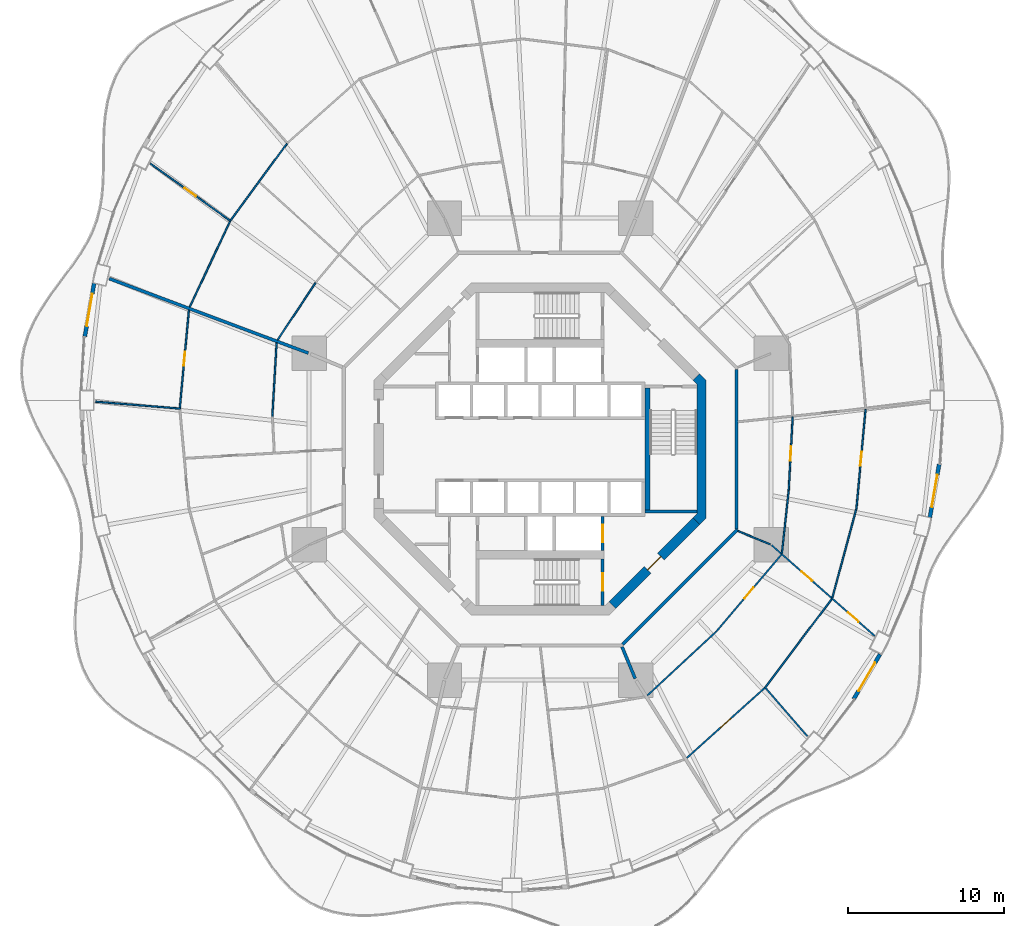
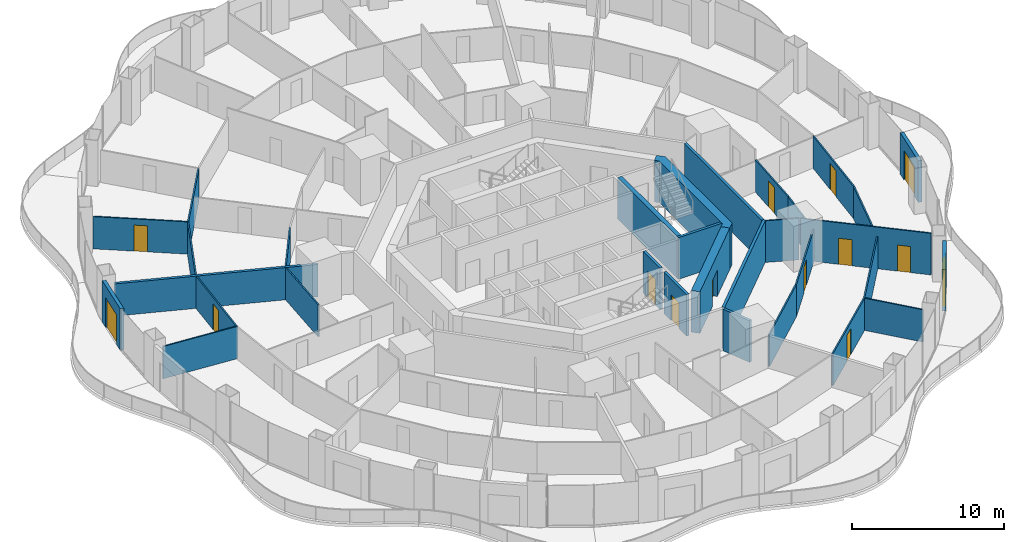
# One storey, part 17 of 23: 31 walls, 14 doors, 14 openings.
"""IFC4 building model written with IfcOpenShell, lengths in metres."""

import ifcopenshell
import ifcopenshell.guid

model = None  # the IFC model being written
_history = None  # IfcOwnerHistory: only IFC2X3 demands one
_inside = {}  # id of a spatial element -> (the spatial element, [elements in it])
_under = {}  # id of a project, library or spatial element -> (it, [spatial elements below it])
_declared = {}  # id of a project -> (the project, [libraries it declares])
_typed = {}  # id of a type object -> (the type object, [elements of that type])
_made_of = {}  # id of a material, layer set ... -> (it, [elements and type objects made of it])


def new_model(schema):
    """Start an empty IFC model of exactly this schema.

    Asked for "IFC4X3", IfcOpenShell would pick the latest addendum, in which some entities
    have other attributes; the version numbers below select the first issue.
    IFC2X3 requires an IfcOwnerHistory on every rooted entity: one is made here for all.
    """
    global model, _history
    if schema == "IFC4X3":
        model = ifcopenshell.file(schema_version=(4, 3, 0, 0))
    else:
        model = ifcopenshell.file(schema=schema)
    _inside.clear()
    _under.clear()
    _declared.clear()
    _typed.clear()
    _made_of.clear()
    _history = None
    if model.schema == "IFC2X3":
        org = make("IfcOrganization", Name="unknown")
        user = make(
            "IfcPersonAndOrganization",
            ThePerson=make("IfcPerson", FamilyName="unknown"),
            TheOrganization=org,
        )
        app = make(
            "IfcApplication",
            ApplicationDeveloper=org,
            Version="unknown",
            ApplicationFullName="unknown",
            ApplicationIdentifier="unknown",
        )
        _history = make(
            "IfcOwnerHistory",
            OwningUser=user,
            OwningApplication=app,
            ChangeAction="ADDED",
            CreationDate=0,
        )
    return model


def make(cls, **values):
    """One entity of the class cls with the attributes given. An attribute that is None is left unset."""
    return model.create_entity(
        cls, **{name: value for name, value in values.items() if value is not None}
    )


def rooted(cls, **values):
    """An entity with a GlobalId (a new one), such as an element, a storey or a relation."""
    return make(cls, GlobalId=ifcopenshell.guid.new(), OwnerHistory=_history, **values)


def si_unit(unit_type, name, prefix=None):
    """IfcSIUnit, for example si_unit("LENGTHUNIT", "METRE", prefix="MILLI")."""
    return make("IfcSIUnit", UnitType=unit_type, Prefix=prefix, Name=name)


def assignment(units):
    """IfcUnitAssignment: the units of a project."""
    return None if units is None else make("IfcUnitAssignment", Units=units)


def point(xyz):
    """IfcCartesianPoint."""
    return None if xyz is None else make("IfcCartesianPoint", Coordinates=xyz)


def direction(xyz):
    """IfcDirection."""
    return None if xyz is None else make("IfcDirection", DirectionRatios=xyz)


def frame(location, z_axis=None, x_axis=None):
    """IfcAxis2Placement3D, a coordinate frame: its origin and axes. An axis left out is left unset."""
    return make(
        "IfcAxis2Placement3D",
        Location=point(location),
        Axis=direction(z_axis),
        RefDirection=direction(x_axis),
    )


def frame_2d(location, x_axis=None):
    """IfcAxis2Placement2D, a coordinate frame in the plane: its origin and x axis."""
    return make(
        "IfcAxis2Placement2D", Location=point(location), RefDirection=direction(x_axis)
    )


def origin():
    """The frame at (0, 0, 0) with its axes left unset."""
    return frame((0.0, 0.0, 0.0))


def place(relative_to, where):
    """IfcLocalPlacement: puts the frame where relative to a parent placement (None: the world)."""
    return make(
        "IfcLocalPlacement", PlacementRelTo=relative_to, RelativePlacement=where
    )


def context(
    kind, dimensions, precision=None, world=None, true_north=None, identifier=None
):
    """IfcGeometricRepresentationContext, for example the 3D "Model" context."""
    return make(
        "IfcGeometricRepresentationContext",
        ContextIdentifier=identifier,
        ContextType=kind,
        CoordinateSpaceDimension=dimensions,
        Precision=precision,
        WorldCoordinateSystem=world,
        TrueNorth=true_north,
    )


def subcontext(parent, identifier, kind, view, scale=None):
    """IfcGeometricRepresentationSubContext, for example "Body" below "Model"."""
    return make(
        "IfcGeometricRepresentationSubContext",
        ContextIdentifier=identifier,
        ContextType=kind,
        ParentContext=parent,
        TargetScale=scale,
        TargetView=view,
    )


def project(units=None, contexts=None):
    """IfcProject with its units and contexts."""
    return rooted(
        "IfcProject",
        Name="project",
        RepresentationContexts=contexts,
        UnitsInContext=assignment(units),
    )


def spatial(cls, under=None, at=None, **own):
    """A site, building, storey or space (cls), placed at a placement, below another one or the project."""
    s = rooted(cls, ObjectPlacement=at, **own)
    if under is not None:
        _under.setdefault(under.id(), (under, []))[1].append(s)
    return s


def polyline(points):
    """IfcPolyline through the points."""
    return make("IfcPolyline", Points=[point(p) for p in points])


def profile(cls, at=None, kind="AREA", **sizes):
    """A parametric profile (cls). Its sizes go by their IFC names, for example OverallWidth=200.0."""
    return make(cls, ProfileType=kind, Position=at, **sizes)


def rectangle(**sizes):
    """IfcRectangleProfileDef."""
    return profile("IfcRectangleProfileDef", **sizes)


def outline(outer, holes=None, kind="AREA"):
    """IfcArbitraryClosedProfileDef: a profile drawn as a closed curve; with holes, ...WithVoids."""
    if holes is None:
        return make("IfcArbitraryClosedProfileDef", ProfileType=kind, OuterCurve=outer)
    return make(
        "IfcArbitraryProfileDefWithVoids",
        ProfileType=kind,
        OuterCurve=outer,
        InnerCurves=holes,
    )


def extrude(swept, where, along, depth):
    """IfcExtrudedAreaSolid: the profile swept, set in the frame where, extruded along a direction by depth."""
    return make(
        "IfcExtrudedAreaSolid",
        SweptArea=swept,
        Position=where,
        ExtrudedDirection=direction(along),
        Depth=depth,
    )


def shape(context_of_items, identifier, shape_type, items):
    """IfcShapeRepresentation: the items that make up one representation, for example the "Body"."""
    return make(
        "IfcShapeRepresentation",
        ContextOfItems=context_of_items,
        RepresentationIdentifier=identifier,
        RepresentationType=shape_type,
        Items=items,
    )


def material(Name=None, Category=None):
    """IfcMaterial."""
    return make("IfcMaterial", Name=Name, Category=Category)


def layer(
    of_material, thickness, ventilated=None, Name=None, Category=None, Priority=None
):
    """IfcMaterialLayer: one layer of a wall or slab, of a material (None: an air gap)."""
    return make(
        "IfcMaterialLayer",
        Material=of_material,
        LayerThickness=thickness,
        IsVentilated=ventilated,
        Name=Name,
        Category=Category,
        Priority=Priority,
    )


def layer_set(layers, Name=None):
    """IfcMaterialLayerSet."""
    return make("IfcMaterialLayerSet", MaterialLayers=layers, LayerSetName=Name)


def made_of(thing, what):
    """Note that an element or type object is made of a material, layer set ...; save() writes the relation."""
    if what is not None:
        _made_of.setdefault(what.id(), (what, []))[1].append(thing)
    return thing


def type_object(cls, material=None, **own):
    """A type object (cls), such as IfcWallType, which elements share."""
    return made_of(rooted(cls, **own), material)


def element(
    cls,
    number,
    at=None,
    inside=None,
    cuts=None,
    type_object=None,
    material=None,
    context=None,
    identifier="Body",
    shape_type=None,
    held_by="IfcProductDefinitionShape",
    body=None,
    shapes=None,
    **own,
):
    """One element of the class cls, such as IfcWall. Its Tag is "e" and its number.

    at: its placement. inside: the storey or other place that contains it. cuts: it is an
    opening in that element (IfcRelVoidsElement). A single representation is given by context,
    identifier, shape_type and body (its items); several are given by shapes. held_by: the class
    of the entity that holds the representations. save() writes the other relations.
    """
    e = rooted(cls, Tag="e%d" % number, ObjectPlacement=at, **own)
    if body is not None:
        shapes = [shape(context, identifier, shape_type, body)]
    if shapes is not None:
        e.Representation = make(held_by, Representations=shapes)
    if inside is not None:
        _inside.setdefault(inside.id(), (inside, []))[1].append(e)
    if cuts is not None:
        rooted(
            "IfcRelVoidsElement", RelatingBuildingElement=cuts, RelatedOpeningElement=e
        )
    if type_object is not None:
        _typed.setdefault(type_object.id(), (type_object, []))[1].append(e)
    return made_of(e, material)


def fill(opening, filler):
    """IfcRelFillsElement: the door or window that sits in an opening."""
    return rooted(
        "IfcRelFillsElement",
        RelatingOpeningElement=opening,
        RelatedBuildingElement=filler,
    )


def aggregate(whole, parts):
    """IfcRelAggregates: a whole, such as a stair, and the parts it consists of."""
    return rooted("IfcRelAggregates", RelatingObject=whole, RelatedObjects=parts)


def save(model, path):
    """Write the relations noted so far, then the file.

    IfcRelAggregates (storeys below a building ...), IfcRelContainedInSpatialStructure (elements
    in a storey), IfcRelDefinesByType, IfcRelAssociatesMaterial and IfcRelDeclares: one each for
    every whole, place, type object, material and project.
    """
    for whole, parts in _under.values():
        aggregate(whole, parts)
    for where, things in _inside.values():
        rooted(
            "IfcRelContainedInSpatialStructure",
            RelatedElements=things,
            RelatingStructure=where,
        )
    for kind, things in _typed.values():
        rooted("IfcRelDefinesByType", RelatedObjects=things, RelatingType=kind)
    for what, things in _made_of.values():
        rooted("IfcRelAssociatesMaterial", RelatedObjects=things, RelatingMaterial=what)
    for by, libraries in _declared.values():
        rooted("IfcRelDeclares", RelatingContext=by, RelatedDefinitions=libraries)
    model.write(path)


model = new_model("IFC4")

# Units and contexts
model_context = context("Model", 3, precision=1e-05, world=origin(), true_north=direction((0.0, 1.0)))
body_context = subcontext(model_context, "Body", "Model", "MODEL_VIEW")
ifc_project = project(units=[si_unit("LENGTHUNIT", "METRE"), si_unit("AREAUNIT", "SQUARE_METRE"), si_unit("VOLUMEUNIT", "CUBIC_METRE"), si_unit("PLANEANGLEUNIT", "RADIAN"), si_unit("MASSUNIT", "GRAM", prefix="KILO")], contexts=[model_context])

# Site, building, storey
site_placement = place(None, origin())
site = spatial("IfcSite", under=ifc_project, at=site_placement, CompositionType="ELEMENT")
building_placement = place(site_placement, origin())
building = spatial("IfcBuilding", under=site, at=building_placement, Name="Nagisa Residences", CompositionType="ELEMENT")
storey_placement = place(building_placement, frame((0.0, 0.0, 110.300048828125)))
storey = spatial("IfcBuildingStorey", under=building, at=storey_placement, Name="L27", CompositionType="ELEMENT", Elevation=110.300048828125)

# Walls
ifc_material_1 = material(Name="Gypsum board on steel studs", Category="steel")
ifc_layer_1 = layer(ifc_material_1, 0.199951171875)
ifc_layer_set_1 = layer_set([ifc_layer_1], Name="Apartment compartment wall EI60 200")
wall_type_1 = type_object("IfcWallType", Name="Apartment compartment wall EI60 200", PredefinedType="PARTITIONING", material=ifc_layer_set_1)
wall_1_placement = place(storey_placement, frame((-14.828857421875, 6.140380859375, 0.0), z_axis=(0.0, 0.0, 1.0), x_axis=(-0.936597324342, 0.35040755134, 0.0)))
element("IfcWall", 1, at=wall_1_placement, inside=storey, type_object=wall_type_1, Name="wall:L27:u03", PredefinedType="PARTITIONING", context=body_context, shape_type="SweptSolid", body=[
    extrude(rectangle(XDim=13.605712890625, YDim=0.199951171875, at=frame_2d((6.802734375, 0.0))), origin(), (0.0, 0.0, 1.0), 2.596923828125),
])
wall_2_placement = place(storey_placement, frame((5.24267578125, -12.6572265625, 0.0), z_axis=(0.0, 0.0, 1.0), x_axis=(0.382747093259, -0.923853160736, 0.0)))
element("IfcWall", 2, at=wall_2_placement, inside=storey, type_object=wall_type_1, Name="wall:L27:u06", PredefinedType="PARTITIONING", context=body_context, shape_type="SweptSolid", body=[
    extrude(rectangle(XDim=2.199951171875, YDim=0.199951171875, at=frame_2d((1.10009765625, 0.0))), origin(), (0.0, 0.0, 1.0), 3.349853515625),
])
ifc_material_2 = material(Name="Gypsum board on steel studs", Category="steel")
ifc_layer_2 = layer(ifc_material_2, 0.199951171875)
ifc_layer_set_2 = layer_set([ifc_layer_2], Name="Apartment entry wall EI60 200")
wall_type_2 = type_object("IfcWallType", Name="Apartment entry wall EI60 200", PredefinedType="PARTITIONING", material=ifc_layer_set_2)
wall_3_placement = place(storey_placement, frame((12.564697265625, -5.1044921875, 0.0), z_axis=(0.0, 0.0, 1.0), x_axis=(0.0, 1.0, 0.0)))
element("IfcWall", 3, at=wall_3_placement, inside=storey, type_object=wall_type_2, Name="wall:L27:u08", PredefinedType="PARTITIONING", context=body_context, shape_type="SweptSolid", body=[
    extrude(rectangle(XDim=10.208984375, YDim=0.199951171875, at=frame_2d((5.1044921875, 0.0))), origin(), (0.0, 0.0, 1.0), 3.349853515625),
])
wall_4_placement = place(storey_placement, frame((5.275146484375, -12.494140625, 0.0), z_axis=(0.0, 0.0, 1.0), x_axis=(0.707106781187, 0.707106781187, 0.0)))
element("IfcWall", 4, at=wall_4_placement, inside=storey, type_object=wall_type_2, Name="wall:L27:u15", PredefinedType="PARTITIONING", context=body_context, shape_type="SweptSolid", body=[
    extrude(rectangle(XDim=10.4091796875, YDim=0.199951171875, at=frame_2d((5.20458984375, 0.0))), origin(), (0.0, 0.0, 1.0), 3.349853515625),
])

# Wall, opening, door
ifc_material_3 = material(Name="Gypsum board on steel studs", Category="steel")
ifc_layer_3 = layer(ifc_material_3, 0.10009765625)
ifc_layer_set_3 = layer_set([ifc_layer_3], Name="Apartment partition 100")
wall_type_3 = type_object("IfcWallType", Name="Apartment partition 100", PredefinedType="PARTITIONING", material=ifc_layer_set_3)
wall_5_placement = place(storey_placement, frame((16.1611328125, 2.058349609375, 0.0), z_axis=(0.0, 0.0, 1.0), x_axis=(-0.053696394729, -0.998557307916, 0.0)))
wall_5 = element("IfcWall", 5, at=wall_5_placement, inside=storey, type_object=wall_type_3, Name="wall:L27:u18", PredefinedType="PARTITIONING", context=body_context, shape_type="SweptSolid", body=[
    extrude(rectangle(XDim=4.7421875, YDim=0.10009765625, at=frame_2d((2.37109375, 0.0))), origin(), (0.0, 0.0, 1.0), 2.596923828125),
])
opening_1_placement = place(wall_5_placement, frame((1.89599609375, 0.0, 0.0)))
opening_1 = element("IfcOpeningElement", 6, at=opening_1_placement, cuts=wall_5, Name="Opening L27-U20", PredefinedType="OPENING", context=body_context, shape_type="SweptSolid", body=[
    extrude(rectangle(XDim=0.89990234375, YDim=2.10009765625, at=frame_2d((0.449951171875, 1.050048828125))), frame((0.0, 0.06005859375, 0.0), z_axis=(0.0, -1.0, 0.0), x_axis=(1.0, 0.0, 0.0)), (0.0, 0.0, 1.0), 0.1201171875),
])
ifc_material_4 = material(Name="Timber door set", Category="wood")
door_type_1 = type_object("IfcDoorType", Name="Apartment door 900x2100", OperationType="NOTDEFINED", PredefinedType="DOOR", material=ifc_material_4)
door_1_placement = place(opening_1_placement, frame((0.89990234375, 0.0, 0.0), x_axis=(-1.0, 0.0, 0.0)))
door_1 = element("IfcDoor", 7, at=door_1_placement, inside=storey, type_object=door_type_1, Name="Door to laundry, Apartment 27B", OperationType="SINGLE_SWING_LEFT", OverallHeight=2.10009765625, OverallWidth=0.89990234375, PredefinedType="DOOR", context=body_context, shape_type="SweptSolid", body=[
    extrude(rectangle(XDim=0.89990234375, YDim=2.10009765625, at=frame_2d((0.449951171875, 1.050048828125))), frame((0.0, 0.02490234375, 0.0), z_axis=(0.0, -1.0, 0.0), x_axis=(1.0, 0.0, 0.0)), (0.0, 0.0, 1.0), 0.050048828125),
])
fill(opening_1, door_1)

wall_6_placement = place(storey_placement, frame((20.824951171875, 2.54248046875, 0.0), z_axis=(0.0, 0.0, 1.0), x_axis=(-0.09140211812, -0.995814065377, 0.0)))
wall_6 = element("IfcWall", 8, at=wall_6_placement, inside=storey, type_object=wall_type_3, Name="wall:L27:u20", PredefinedType="PARTITIONING", context=body_context, shape_type="SweptSolid", body=[
    extrude(rectangle(XDim=6.402587890625, YDim=0.10009765625, at=frame_2d((3.201171875, 0.0))), origin(), (0.0, 0.0, 1.0), 2.596923828125),
])
opening_2_placement = place(wall_6_placement, frame((2.726318359375, 0.0, 0.0)))
opening_2 = element("IfcOpeningElement", 9, at=opening_2_placement, cuts=wall_6, Name="Opening L27-U19", PredefinedType="OPENING", context=body_context, shape_type="SweptSolid", body=[
    extrude(rectangle(XDim=0.89990234375, YDim=2.10009765625, at=frame_2d((0.449951171875, 1.050048828125))), frame((0.0, 0.06005859375, 0.0), z_axis=(0.0, -1.0, 0.0), x_axis=(1.0, 0.0, 0.0)), (0.0, 0.0, 1.0), 0.1201171875),
])
door_2_placement = place(opening_2_placement, origin())
door_2 = element("IfcDoor", 10, at=door_2_placement, inside=storey, type_object=door_type_1, Name="Door to living room, Apartment 27B", OperationType="SINGLE_SWING_LEFT", OverallHeight=2.10009765625, OverallWidth=0.89990234375, PredefinedType="DOOR", context=body_context, shape_type="SweptSolid", body=[
    extrude(rectangle(XDim=0.89990234375, YDim=2.10009765625, at=frame_2d((0.449951171875, 1.050048828125))), frame((0.0, 0.02490234375, 0.0), z_axis=(0.0, -1.0, 0.0), x_axis=(1.0, 0.0, 0.0)), (0.0, 0.0, 1.0), 0.050048828125),
])
fill(opening_2, door_2)

# Walls
wall_7_placement = place(storey_placement, frame((-16.197265625, 19.55126953125, 0.0), z_axis=(0.0, 0.0, 1.0), x_axis=(-0.592391983588, -0.80564988536, 0.0)))
element("IfcWall", 11, at=wall_7_placement, inside=storey, type_object=wall_type_3, Name="wall:L27:u49", PredefinedType="PARTITIONING", context=body_context, shape_type="SweptSolid", body=[
    extrude(rectangle(XDim=6.080078125, YDim=0.10009765625, at=frame_2d((3.0400390625, 0.0))), origin(), (0.0, 0.0, 1.0), 2.596923828125),
])
wall_8_placement = place(storey_placement, frame((-14.370849609375, 10.64501953125, 0.0), z_axis=(0.0, 0.0, 1.0), x_axis=(-0.553341009285, -0.832954817168, 0.0)))
element("IfcWall", 12, at=wall_8_placement, inside=storey, type_object=wall_type_3, Name="wall:L27:u51", PredefinedType="PARTITIONING", context=body_context, shape_type="SweptSolid", body=[
    extrude(rectangle(XDim=4.396240234375, YDim=0.10009765625, at=frame_2d((2.1982421875, 0.0))), origin(), (0.0, 0.0, 1.0), 2.596923828125),
])

# Wall, opening, door
wall_9_placement = place(storey_placement, frame((-19.7880859375, 14.58349609375, 0.0), z_axis=(0.0, 0.0, 1.0), x_axis=(-0.813175286569, 0.58201885993, 0.0)))
wall_9 = element("IfcWall", 13, at=wall_9_placement, inside=storey, type_object=wall_type_3, Name="wall:L27:u52", PredefinedType="PARTITIONING", context=body_context, shape_type="SweptSolid", body=[
    extrude(rectangle(XDim=6.32861328125, YDim=0.10009765625, at=frame_2d((3.164306640625, 0.0))), origin(), (0.0, 0.0, 1.0), 2.596923828125),
])
opening_3_placement = place(wall_9_placement, frame((2.7392578125, 0.0, 0.0)))
opening_3 = element("IfcOpeningElement", 14, at=opening_3_placement, cuts=wall_9, Name="Opening L27-U40", PredefinedType="OPENING", context=body_context, shape_type="SweptSolid", body=[
    extrude(rectangle(XDim=0.89990234375, YDim=2.10009765625, at=frame_2d((0.449951171875, 1.050048828125))), frame((0.0, 0.06005859375, 0.0), z_axis=(0.0, -1.0, 0.0), x_axis=(1.0, 0.0, 0.0)), (0.0, 0.0, 1.0), 0.1201171875),
])
door_3_placement = place(opening_3_placement, origin())
door_3 = element("IfcDoor", 15, at=door_3_placement, inside=storey, type_object=door_type_1, Name="Door to master bedroom, Apartment 27C", OperationType="SINGLE_SWING_RIGHT", OverallHeight=2.10009765625, OverallWidth=0.89990234375, PredefinedType="DOOR", context=body_context, shape_type="SweptSolid", body=[
    extrude(rectangle(XDim=0.89990234375, YDim=2.10009765625, at=frame_2d((0.449951171875, 1.050048828125))), frame((0.0, 0.02490234375, 0.0), z_axis=(0.0, -1.0, 0.0), x_axis=(1.0, 0.0, 0.0)), (0.0, 0.0, 1.0), 0.050048828125),
])
fill(opening_3, door_3)

# Walls
wall_10_placement = place(storey_placement, frame((-19.85009765625, 14.5673828125, 0.0), z_axis=(0.0, 0.0, 1.0), x_axis=(-0.424942210745, -0.905220480064, 0.0)))
element("IfcWall", 16, at=wall_10_placement, inside=storey, type_object=wall_type_3, Name="wall:L27:u53", PredefinedType="PARTITIONING", context=body_context, shape_type="SweptSolid", body=[
    extrude(rectangle(XDim=6.05322265625, YDim=0.10009765625, at=frame_2d((3.026611328125, 0.0))), origin(), (0.0, 0.0, 1.0), 2.596923828125),
])
wall_11_placement = place(storey_placement, frame((-16.864501953125, 6.800048828125, 0.0), z_axis=(0.0, 0.0, 1.0), x_axis=(-0.05777584434, -0.998329580755, 0.0)))
element("IfcWall", 17, at=wall_11_placement, inside=storey, type_object=wall_type_3, Name="wall:L27:u54", PredefinedType="PARTITIONING", context=body_context, shape_type="SweptSolid", body=[
    extrude(rectangle(XDim=4.74951171875, YDim=0.10009765625, at=frame_2d((2.374755859375, 0.0))), origin(), (0.0, 0.0, 1.0), 2.596923828125),
])

# Wall, opening, door
wall_12_placement = place(storey_placement, frame((-22.47412109375, 8.897705078125, 0.0), z_axis=(0.0, 0.0, 1.0), x_axis=(-0.092756864489, -0.995688788774, 0.0)))
wall_12 = element("IfcWall", 18, at=wall_12_placement, inside=storey, type_object=wall_type_3, Name="wall:L27:u55", PredefinedType="PARTITIONING", context=body_context, shape_type="SweptSolid", body=[
    extrude(rectangle(XDim=6.28271484375, YDim=0.10009765625, at=frame_2d((3.141357421875, 0.0))), origin(), (0.0, 0.0, 1.0), 2.596923828125),
])
opening_4_placement = place(wall_12_placement, frame((2.69140625, 0.0, 0.0)))
opening_4 = element("IfcOpeningElement", 19, at=opening_4_placement, cuts=wall_12, Name="Opening L27-U46", PredefinedType="OPENING", context=body_context, shape_type="SweptSolid", body=[
    extrude(rectangle(XDim=0.89990234375, YDim=2.10009765625, at=frame_2d((0.449951171875, 1.050048828125))), frame((0.0, 0.06005859375, 0.0), z_axis=(0.0, -1.0, 0.0), x_axis=(1.0, 0.0, 0.0)), (0.0, 0.0, 1.0), 0.1201171875),
])
door_4_placement = place(opening_4_placement, frame((0.89990234375, 0.0, 0.0), x_axis=(-1.0, 0.0, 0.0)))
door_4 = element("IfcDoor", 20, at=door_4_placement, inside=storey, type_object=door_type_1, Name="Door to master bedroom, Apartment 27D", OperationType="SINGLE_SWING_LEFT", OverallHeight=2.10009765625, OverallWidth=0.89990234375, PredefinedType="DOOR", context=body_context, shape_type="SweptSolid", body=[
    extrude(rectangle(XDim=0.89990234375, YDim=2.10009765625, at=frame_2d((0.449951171875, 1.050048828125))), frame((0.0, 0.02490234375, 0.0), z_axis=(0.0, -1.0, 0.0), x_axis=(1.0, 0.0, 0.0)), (0.0, 0.0, 1.0), 0.050048828125),
])
fill(opening_4, door_4)

# Walls
wall_13_placement = place(storey_placement, frame((-23.01171875, 2.588134765625, 0.0), z_axis=(0.0, 0.0, 1.0), x_axis=(-0.996680765347, 0.081409164031, 0.0)))
element("IfcWall", 21, at=wall_13_placement, inside=storey, type_object=wall_type_3, Name="wall:L27:u57", PredefinedType="PARTITIONING", context=body_context, shape_type="SweptSolid", body=[
    extrude(rectangle(XDim=5.4580078125, YDim=0.10009765625, at=frame_2d((2.72900390625, 0.0))), origin(), (0.0, 0.0, 1.0), 2.596923828125),
])
wall_14_placement = place(storey_placement, frame((6.861083984375, -15.768310546875, 0.0), z_axis=(0.0, 0.0, 1.0), x_axis=(0.733011256509, 0.680216508056, 0.0)))
element("IfcWall", 22, at=wall_14_placement, inside=storey, type_object=wall_type_3, Name="wall:L27:u83", PredefinedType="PARTITIONING", context=body_context, shape_type="SweptSolid", body=[
    extrude(rectangle(XDim=5.988525390625, YDim=0.10009765625, at=frame_2d((2.994140625, 0.0))), origin(), (0.0, 0.0, 1.0), 2.596923828125),
])

# Wall, opening, door
wall_15_placement = place(storey_placement, frame((9.384033203125, -19.767578125, 0.0), z_axis=(0.0, 0.0, 1.0), x_axis=(0.74387407395, 0.668319805262, 0.0)))
wall_15 = element("IfcWall", 23, at=wall_15_placement, inside=storey, type_object=wall_type_3, Name="wall:L27:u84", PredefinedType="PARTITIONING", context=body_context, shape_type="SweptSolid", body=[
    extrude(rectangle(XDim=6.6953125, YDim=0.10009765625, at=frame_2d((3.34765625, 0.0))), origin(), (0.0, 0.0, 1.0), 2.596923828125),
])
opening_5_placement = place(wall_15_placement, frame((2.897705078125, 0.0, 0.0)))
opening_5 = element("IfcOpeningElement", 24, at=opening_5_placement, cuts=wall_15, Name="Opening L27-U22", PredefinedType="OPENING", context=body_context, shape_type="SweptSolid", body=[
    extrude(rectangle(XDim=0.89990234375, YDim=2.10009765625, at=frame_2d((0.449951171875, 1.050048828125))), frame((0.0, 0.06005859375, 0.0), z_axis=(0.0, -1.0, 0.0), x_axis=(1.0, 0.0, 0.0)), (0.0, 0.0, 1.0), 0.1201171875),
])
door_5_placement = place(opening_5_placement, frame((0.89990234375, 0.0, 0.0), x_axis=(-1.0, 0.0, 0.0)))
door_5 = element("IfcDoor", 25, at=door_5_placement, inside=storey, type_object=door_type_1, Name="Door to kitchen, Apartment 27B", OperationType="SINGLE_SWING_LEFT", OverallHeight=2.10009765625, OverallWidth=0.89990234375, PredefinedType="DOOR", context=body_context, shape_type="SweptSolid", body=[
    extrude(rectangle(XDim=0.89990234375, YDim=2.10009765625, at=frame_2d((0.449951171875, 1.050048828125))), frame((0.0, 0.02490234375, 0.0), z_axis=(0.0, -1.0, 0.0), x_axis=(1.0, 0.0, 0.0)), (0.0, 0.0, 1.0), 0.050048828125),
])
fill(opening_5, door_5)

wall_16_placement = place(storey_placement, frame((11.2548828125, -11.698974609375, 0.0), z_axis=(0.0, 0.0, 1.0), x_axis=(0.64610637779, 0.763247370503, 0.0)))
wall_16 = element("IfcWall", 26, at=wall_16_placement, inside=storey, type_object=wall_type_3, Name="wall:L27:u85", PredefinedType="PARTITIONING", context=body_context, shape_type="SweptSolid", body=[
    extrude(rectangle(XDim=6.467041015625, YDim=0.10009765625, at=frame_2d((3.2333984375, 0.0))), origin(), (0.0, 0.0, 1.0), 2.596923828125),
])
opening_6_placement = place(wall_16_placement, frame((2.80859375, 0.0, 0.0)))
opening_6 = element("IfcOpeningElement", 27, at=opening_6_placement, cuts=wall_16, Name="Opening L27-U24", PredefinedType="OPENING", context=body_context, shape_type="SweptSolid", body=[
    extrude(rectangle(XDim=0.89990234375, YDim=2.10009765625, at=frame_2d((0.449951171875, 1.050048828125))), frame((0.0, 0.06005859375, 0.0), z_axis=(0.0, -1.0, 0.0), x_axis=(1.0, 0.0, 0.0)), (0.0, 0.0, 1.0), 0.1201171875),
])
door_6_placement = place(opening_6_placement, origin())
door_6 = element("IfcDoor", 28, at=door_6_placement, inside=storey, type_object=door_type_1, Name="Door to store, Apartment 27B", OperationType="SINGLE_SWING_RIGHT", OverallHeight=2.10009765625, OverallWidth=0.89990234375, PredefinedType="DOOR", context=body_context, shape_type="SweptSolid", body=[
    extrude(rectangle(XDim=0.89990234375, YDim=2.10009765625, at=frame_2d((0.449951171875, 1.050048828125))), frame((0.0, 0.02490234375, 0.0), z_axis=(0.0, -1.0, 0.0), x_axis=(1.0, 0.0, 0.0)), (0.0, 0.0, 1.0), 0.050048828125),
])
fill(opening_6, door_6)

# Walls
wall_17_placement = place(storey_placement, frame((14.4345703125, -15.29736328125, 0.0), z_axis=(0.0, 0.0, 1.0), x_axis=(0.654405107766, -0.756144136345, 0.0)))
element("IfcWall", 29, at=wall_17_placement, inside=storey, type_object=wall_type_3, Name="wall:L27:u86", PredefinedType="PARTITIONING", context=body_context, shape_type="SweptSolid", body=[
    extrude(rectangle(XDim=4.06982421875, YDim=0.10009765625, at=frame_2d((2.034912109375, 0.0))), origin(), (0.0, 0.0, 1.0), 2.596923828125),
])
wall_18_placement = place(storey_placement, frame((14.371826171875, -15.299560546875, 0.0), z_axis=(0.0, 0.0, 1.0), x_axis=(0.600996629562, 0.79925155693, 0.0)))
element("IfcWall", 30, at=wall_18_placement, inside=storey, type_object=wall_type_3, Name="wall:L27:u87", PredefinedType="PARTITIONING", context=body_context, shape_type="SweptSolid", body=[
    extrude(rectangle(XDim=7.130126953125, YDim=0.10009765625, at=frame_2d((3.56494140625, 0.0))), origin(), (0.0, 0.0, 1.0), 2.596923828125),
])
wall_19_placement = place(storey_placement, frame((12.6572265625, -5.24267578125, 0.0), z_axis=(0.0, 0.0, 1.0), x_axis=(0.923848837015, -0.382757529444, 0.0)))
element("IfcWall", 31, at=wall_19_placement, inside=storey, type_object=wall_type_3, Name="wall:L27:u88", PredefinedType="PARTITIONING", context=body_context, shape_type="SweptSolid", body=[
    extrude(rectangle(XDim=2.249755859375, YDim=0.10009765625, at=frame_2d((1.125, 0.0))), origin(), (0.0, 0.0, 1.0), 3.349853515625),
])

# Wall, openings, doors
wall_20_placement = place(storey_placement, frame((14.819580078125, -6.156005859375, 0.0), z_axis=(0.0, 0.0, 1.0), x_axis=(0.750582231659, -0.660777052808, 0.0)))
wall_20 = element("IfcWall", 32, at=wall_20_placement, inside=storey, type_object=wall_type_3, Name="wall:L27:u89", PredefinedType="PARTITIONING", context=body_context, shape_type="SweptSolid", body=[
    extrude(rectangle(XDim=8.781005859375, YDim=0.10009765625, at=frame_2d((4.390625, 0.0))), origin(), (0.0, 0.0, 1.0), 3.349853515625),
])
opening_7_placement = place(wall_20_placement, frame((2.556884765625, 0.0, 0.0)))
opening_7 = element("IfcOpeningElement", 33, at=opening_7_placement, cuts=wall_20, Name="Opening L27-U21", PredefinedType="OPENING", context=body_context, shape_type="SweptSolid", body=[
    extrude(rectangle(XDim=0.89990234375, YDim=2.10009765625, at=frame_2d((0.449951171875, 1.050048828125))), frame((0.0, 0.06005859375, 0.0), z_axis=(0.0, -1.0, 0.0), x_axis=(1.0, 0.0, 0.0)), (0.0, 0.0, 1.0), 0.1201171875),
])
opening_8_placement = place(wall_20_placement, frame((6.516845703125, 0.0, 0.0)))
opening_8 = element("IfcOpeningElement", 34, at=opening_8_placement, cuts=wall_20, Name="Opening L27-U23", PredefinedType="OPENING", context=body_context, shape_type="SweptSolid", body=[
    extrude(rectangle(XDim=0.89990234375, YDim=2.10009765625, at=frame_2d((0.449951171875, 1.050048828125))), frame((0.0, 0.06005859375, 0.0), z_axis=(0.0, -1.0, 0.0), x_axis=(1.0, 0.0, 0.0)), (0.0, 0.0, 1.0), 0.1201171875),
])
door_7_placement = place(opening_7_placement, frame((0.89990234375, 0.0, 0.0), x_axis=(-1.0, 0.0, 0.0)))
door_7 = element("IfcDoor", 35, at=door_7_placement, inside=storey, type_object=door_type_1, Name="Door to dining room, Apartment 27B", OperationType="SINGLE_SWING_RIGHT", OverallHeight=2.10009765625, OverallWidth=0.89990234375, PredefinedType="DOOR", context=body_context, shape_type="SweptSolid", body=[
    extrude(rectangle(XDim=0.89990234375, YDim=2.10009765625, at=frame_2d((0.449951171875, 1.050048828125))), frame((0.0, 0.02490234375, 0.0), z_axis=(0.0, -1.0, 0.0), x_axis=(1.0, 0.0, 0.0)), (0.0, 0.0, 1.0), 0.050048828125),
])
fill(opening_7, door_7)
door_8_placement = place(opening_8_placement, frame((0.89990234375, 0.0, 0.0), x_axis=(-1.0, 0.0, 0.0)))
door_8 = element("IfcDoor", 36, at=door_8_placement, inside=storey, type_object=door_type_1, Name="Door to master bedroom, Apartment 27B", OperationType="SINGLE_SWING_RIGHT", OverallHeight=2.10009765625, OverallWidth=0.89990234375, PredefinedType="DOOR", context=body_context, shape_type="SweptSolid", body=[
    extrude(rectangle(XDim=0.89990234375, YDim=2.10009765625, at=frame_2d((0.449951171875, 1.050048828125))), frame((0.0, 0.02490234375, 0.0), z_axis=(0.0, -1.0, 0.0), x_axis=(1.0, 0.0, 0.0)), (0.0, 0.0, 1.0), 0.050048828125),
])
fill(opening_8, door_8)

# Walls
wall_21_placement = place(storey_placement, frame((15.47119140625, -6.675048828125, 0.0), z_axis=(0.0, 0.0, 1.0), x_axis=(0.107572661837, 0.994197225114, 0.0)))
element("IfcWall", 37, at=wall_21_placement, inside=storey, type_object=wall_type_3, Name="wall:L27:u90", PredefinedType="PARTITIONING", context=body_context, shape_type="SweptSolid", body=[
    extrude(rectangle(XDim=4.021728515625, YDim=0.10009765625, at=frame_2d((2.0107421875, 0.0))), origin(), (0.0, 0.0, 1.0), 2.596923828125),
])
wall_22_placement = place(storey_placement, frame((18.7001953125, -9.512451171875, 0.0), z_axis=(0.0, 0.0, 1.0), x_axis=(0.260265138035, 0.965537186194, 0.0)))
element("IfcWall", 38, at=wall_22_placement, inside=storey, type_object=wall_type_3, Name="wall:L27:u91", PredefinedType="PARTITIONING", context=body_context, shape_type="SweptSolid", body=[
    extrude(rectangle(XDim=5.883544921875, YDim=0.10009765625, at=frame_2d((2.94189453125, 0.0))), origin(), (0.0, 0.0, 1.0), 2.596923828125),
])

# Wall, opening, door
ifc_material_5 = material(Name="Precast concrete C40/50", Category="concrete")
ifc_layer_4 = layer(ifc_material_5, 0.25)
ifc_layer_set_4 = layer_set([ifc_layer_4], Name="BALCONY DOOR WALL 250")
wall_type_4 = type_object("IfcWallType", Name="BALCONY DOOR WALL 250", PredefinedType="SOLIDWALL", material=ifc_layer_set_4)
wall_23_placement = place(storey_placement, frame((-29.135009765625, 7.209716796875, 0.0), z_axis=(0.0, 0.0, 1.0), x_axis=(0.17223289558, 0.985056257114, 0.0)))
wall_23 = element("IfcWall", 39, at=wall_23_placement, inside=storey, type_object=wall_type_4, Name="wall:L27:bay22", PredefinedType="SOLIDWALL", context=body_context, shape_type="SweptSolid", body=[
    extrude(rectangle(XDim=3.454345703125, YDim=0.25, at=frame_2d((1.72705078125, 0.0))), origin(), (0.0, 0.0, 1.0), 3.349853515625),
])
opening_9_placement = place(wall_23_placement, frame((0.67724609375, 0.0, 0.0)))
opening_9 = element("IfcOpeningElement", 40, at=opening_9_placement, cuts=wall_23, Name="Opening BD-L27-08", PredefinedType="OPENING", context=body_context, shape_type="SweptSolid", body=[
    extrude(rectangle(XDim=2.10009765625, YDim=2.39990234375, at=frame_2d((1.050048828125, 1.199951171875))), frame((0.0, 0.135009765625, 0.0), z_axis=(0.0, -1.0, 0.0), x_axis=(1.0, 0.0, 0.0)), (0.0, 0.0, 1.0), 0.27001953125),
])
ifc_material_6 = material(Name="Aluminium and clear glass", Category="aluminium")
door_type_2 = type_object("IfcDoorType", Name="BALCONY SLIDING DOOR 2100x2400", OperationType="SLIDING_TO_LEFT", PredefinedType="DOOR", material=ifc_material_6)
door_9_placement = place(opening_9_placement, origin())
door_9 = element("IfcDoor", 41, at=door_9_placement, inside=storey, type_object=door_type_2, Name="door:L27:bay22", OperationType="SLIDING_TO_LEFT", OverallHeight=2.39990234375, OverallWidth=2.10009765625, PredefinedType="DOOR", context=body_context, shape_type="SweptSolid", body=[
    extrude(rectangle(XDim=2.10009765625, YDim=2.39990234375, at=frame_2d((1.050048828125, 1.199951171875))), frame((0.0, 0.02490234375, 0.0), z_axis=(0.0, -1.0, 0.0), x_axis=(1.0, 0.0, 0.0)), (0.0, 0.0, 1.0), 0.050048828125),
])
fill(opening_9, door_9)

wall_24_placement = place(storey_placement, frame((21.74755859375, -13.136962890625, 0.0), z_axis=(0.0, 0.0, 1.0), x_axis=(-0.506297921217, -0.862358634775, 0.0)))
wall_24 = element("IfcWall", 42, at=wall_24_placement, inside=storey, type_object=wall_type_4, Name="wall:L27:bay43", PredefinedType="SOLIDWALL", context=body_context, shape_type="SweptSolid", body=[
    extrude(rectangle(XDim=3.32470703125, YDim=0.25, at=frame_2d((1.662353515625, 0.0))), origin(), (0.0, 0.0, 1.0), 3.349853515625),
])
opening_10_placement = place(wall_24_placement, frame((0.6123046875, 0.0, 0.0)))
opening_10 = element("IfcOpeningElement", 43, at=opening_10_placement, cuts=wall_24, Name="Opening BD-L27-15", PredefinedType="OPENING", context=body_context, shape_type="SweptSolid", body=[
    extrude(rectangle(XDim=2.10009765625, YDim=2.39990234375, at=frame_2d((1.050048828125, 1.199951171875))), frame((0.0, 0.135009765625, 0.0), z_axis=(0.0, -1.0, 0.0), x_axis=(1.0, 0.0, 0.0)), (0.0, 0.0, 1.0), 0.27001953125),
])
door_10_placement = place(opening_10_placement, origin())
door_10 = element("IfcDoor", 44, at=door_10_placement, inside=storey, type_object=door_type_2, Name="door:L27:bay43", OperationType="SLIDING_TO_LEFT", OverallHeight=2.39990234375, OverallWidth=2.10009765625, PredefinedType="DOOR", context=body_context, shape_type="SweptSolid", body=[
    extrude(rectangle(XDim=2.10009765625, YDim=2.39990234375, at=frame_2d((1.050048828125, 1.199951171875))), frame((0.0, 0.02490234375, 0.0), z_axis=(0.0, -1.0, 0.0), x_axis=(1.0, 0.0, 0.0)), (0.0, 0.0, 1.0), 0.050048828125),
])
fill(opening_10, door_10)

wall_25_placement = place(storey_placement, frame((25.534912109375, -0.974365234375, 0.0), z_axis=(0.0, 0.0, 1.0), x_axis=(-0.172164316671, -0.985068245385, 0.0)))
wall_25 = element("IfcWall", 45, at=wall_25_placement, inside=storey, type_object=wall_type_4, Name="wall:L27:bay46", PredefinedType="SOLIDWALL", context=body_context, shape_type="SweptSolid", body=[
    extrude(rectangle(XDim=3.454345703125, YDim=0.25, at=frame_2d((1.72705078125, 0.0))), origin(), (0.0, 0.0, 1.0), 3.349853515625),
])
opening_11_placement = place(wall_25_placement, frame((0.67724609375, 0.0, 0.0)))
opening_11 = element("IfcOpeningElement", 46, at=opening_11_placement, cuts=wall_25, Name="Opening BD-L27-16", PredefinedType="OPENING", context=body_context, shape_type="SweptSolid", body=[
    extrude(rectangle(XDim=2.10009765625, YDim=2.39990234375, at=frame_2d((1.050048828125, 1.199951171875))), frame((0.0, 0.135009765625, 0.0), z_axis=(0.0, -1.0, 0.0), x_axis=(1.0, 0.0, 0.0)), (0.0, 0.0, 1.0), 0.27001953125),
])
door_11_placement = place(opening_11_placement, origin())
door_11 = element("IfcDoor", 47, at=door_11_placement, inside=storey, type_object=door_type_2, Name="door:L27:bay46", OperationType="SLIDING_TO_LEFT", OverallHeight=2.39990234375, OverallWidth=2.10009765625, PredefinedType="DOOR", context=body_context, shape_type="SweptSolid", body=[
    extrude(rectangle(XDim=2.10009765625, YDim=2.39990234375, at=frame_2d((1.050048828125, 1.199951171875))), frame((0.0, 0.02490234375, 0.0), z_axis=(0.0, -1.0, 0.0), x_axis=(1.0, 0.0, 0.0)), (0.0, 0.0, 1.0), 0.050048828125),
])
fill(opening_11, door_11)

ifc_material_7 = material(Name="Concrete C60", Category="concrete")
ifc_layer_5 = layer(ifc_material_7, 0.60009765625)
ifc_layer_set_5 = layer_set([ifc_layer_5], Name="Core shear wall 600")
wall_type_5 = type_object("IfcWallType", Name="Core shear wall 600", PredefinedType="SHEAR", material=ifc_layer_set_5)
wall_26_placement = place(storey_placement, frame((4.613037109375, -9.98828125, 0.0), z_axis=(0.0, 0.0, 1.0), x_axis=(0.707106781187, 0.707106781187, 0.0)))
wall_26 = element("IfcWall", 48, at=wall_26_placement, inside=storey, type_object=wall_type_5, Name="wall:L27:core:flat7", PredefinedType="SHEAR", context=body_context, shape_type="SweptSolid", body=[
    extrude(rectangle(XDim=7.601806640625, YDim=0.60009765625, at=frame_2d((3.80078125, 0.0))), origin(), (0.0, 0.0, 1.0), 3.349853515625),
])
opening_12_placement = place(wall_26_placement, frame((3.200927734375, 0.0, 0.0)))
opening_12 = element("IfcOpeningElement", 49, at=opening_12_placement, cuts=wall_26, Name="Opening L27-C18", PredefinedType="OPENING", context=body_context, shape_type="SweptSolid", body=[
    extrude(rectangle(XDim=1.199951171875, YDim=2.10009765625, at=frame_2d((0.60009765625, 1.050048828125))), frame((0.0, 0.31005859375, 0.0), z_axis=(0.0, -1.0, 0.0), x_axis=(1.0, 0.0, 0.0)), (0.0, 0.0, 1.0), 0.6201171875),
])
ifc_material_8 = material(Name="Steel fire door", Category="steel")
door_type_3 = type_object("IfcDoorType", Name="Fire door EI60 1200x2100 single swing", OperationType="NOTDEFINED", PredefinedType="DOOR", material=ifc_material_8)
door_12_placement = place(opening_12_placement, origin())
door_12 = element("IfcDoor", 50, at=door_12_placement, inside=storey, type_object=door_type_3, Name="Firefighting lobby 2 door L27", OperationType="SINGLE_SWING_RIGHT", OverallHeight=2.10009765625, OverallWidth=1.199951171875, PredefinedType="DOOR", context=body_context, shape_type="SweptSolid", body=[
    extrude(rectangle(XDim=1.199951171875, YDim=2.10009765625, at=frame_2d((0.60009765625, 1.050048828125))), frame((0.0, 0.02490234375, 0.0), z_axis=(0.0, -1.0, 0.0), x_axis=(1.0, 0.0, 0.0)), (0.0, 0.0, 1.0), 0.050048828125),
])
fill(opening_12, door_12)

# Wall
wall_27_placement = place(storey_placement, origin())
element("IfcWall", 51, at=wall_27_placement, inside=storey, type_object=wall_type_5, Name="wall:L27:core:flat0", PredefinedType="SHEAR", context=body_context, shape_type="SweptSolid", body=[
    extrude(outline(polyline([(9.776123046875, -4.40087890625), (10.024658203125, -4.15234375), (10.024658203125, -3.801025390625), (10.024658203125, 4.15234375), (9.776123046875, 4.40087890625), (10.200439453125, 4.8251953125), (10.62451171875, 4.40087890625), (10.62451171875, -4.40087890625), (10.200439453125, -4.8251953125), (9.776123046875, -4.40087890625)])), origin(), (0.0, 0.0, 1.0), 3.349853515625),
])

# Wall, opening, door
ifc_material_9 = material(Name="Concrete C60", Category="concrete")
ifc_layer_6 = layer(ifc_material_9, 0.199951171875)
ifc_layer_set_6 = layer_set([ifc_layer_6], Name="Lift shaft wall 200")
wall_type_6 = type_object("IfcWallType", Name="Lift shaft wall 200", PredefinedType="SOLIDWALL", material=ifc_layer_set_6)
wall_28_placement = place(storey_placement, frame((4.0, -6.5, 0.0), z_axis=(0.0, 0.0, 1.0), x_axis=(0.0, 1.0, 0.0)))
wall_28 = element("IfcWall", 52, at=wall_28_placement, inside=storey, type_object=wall_type_6, Name="wall:L27:Sb3", PredefinedType="SOLIDWALL", context=body_context, shape_type="SweptSolid", body=[
    extrude(rectangle(XDim=2.199951171875, YDim=0.199951171875, at=frame_2d((1.10009765625, 0.0))), origin(), (0.0, 0.0, 1.0), 3.349853515625),
])
opening_13_placement = place(wall_28_placement, frame((0.550048828125, 0.0, 0.0)))
opening_13 = element("IfcOpeningElement", 53, at=opening_13_placement, cuts=wall_28, Name="Opening L27-C07", PredefinedType="OPENING", context=body_context, shape_type="SweptSolid", body=[
    extrude(rectangle(XDim=1.10009765625, YDim=2.10009765625, at=frame_2d((0.550048828125, 1.050048828125))), frame((0.0, 0.10986328125, 0.0), z_axis=(0.0, -1.0, 0.0), x_axis=(1.0, 0.0, 0.0)), (0.0, 0.0, 1.0), 0.219970703125),
])
ifc_material_10 = material(Name="Stainless steel", Category="steel")
door_type_4 = type_object("IfcDoorType", Name="Lift landing door 1100x2100", OperationType="DOUBLE_DOOR_SLIDING", PredefinedType="DOOR", material=ifc_material_10)
door_13_placement = place(opening_13_placement, origin())
door_13 = element("IfcDoor", 54, at=door_13_placement, inside=storey, type_object=door_type_4, Name="Landing door FL2 L27", OperationType="DOUBLE_DOOR_SLIDING", OverallHeight=2.10009765625, OverallWidth=1.10009765625, PredefinedType="DOOR", context=body_context, shape_type="SweptSolid", body=[
    extrude(rectangle(XDim=1.10009765625, YDim=2.10009765625, at=frame_2d((0.550048828125, 1.050048828125))), frame((0.0, 0.02490234375, 0.0), z_axis=(0.0, -1.0, 0.0), x_axis=(1.0, 0.0, 0.0)), (0.0, 0.0, 1.0), 0.050048828125),
])
fill(opening_13, door_13)

ifc_material_11 = material(Name="Concrete C60", Category="concrete")
ifc_layer_7 = layer(ifc_material_11, 0.199951171875)
ifc_layer_set_7 = layer_set([ifc_layer_7], Name="Stair enclosure wall 200")
wall_type_7 = type_object("IfcWallType", Name="Stair enclosure wall 200", PredefinedType="SOLIDWALL", material=ifc_layer_set_7)
wall_29_placement = place(storey_placement, frame((4.0, -10.024658203125, 0.0), z_axis=(0.0, 0.0, 1.0), x_axis=(0.0, 1.0, 0.0)))
wall_29 = element("IfcWall", 55, at=wall_29_placement, inside=storey, type_object=wall_type_7, Name="wall:L27:SS_e", PredefinedType="SOLIDWALL", context=body_context, shape_type="SweptSolid", body=[
    extrude(rectangle(XDim=3.0, YDim=0.199951171875, at=frame_2d((1.5, 0.0))), origin(), (0.0, 0.0, 1.0), 3.349853515625),
])
opening_14_placement = place(wall_29_placement, frame((0.974609375, 0.0, 0.0)))
opening_14 = element("IfcOpeningElement", 56, at=opening_14_placement, cuts=wall_29, Name="Opening L27-C11", PredefinedType="OPENING", context=body_context, shape_type="SweptSolid", body=[
    extrude(rectangle(XDim=1.10009765625, YDim=2.10009765625, at=frame_2d((0.550048828125, 1.050048828125))), frame((0.0, 0.10986328125, 0.0), z_axis=(0.0, -1.0, 0.0), x_axis=(1.0, 0.0, 0.0)), (0.0, 0.0, 1.0), 0.219970703125),
])
ifc_material_12 = material(Name="Steel fire door", Category="steel")
door_type_5 = type_object("IfcDoorType", Name="Fire door EI90 1100x2100 single swing", OperationType="NOTDEFINED", PredefinedType="DOOR", material=ifc_material_12)
door_14_placement = place(opening_14_placement, origin())
door_14 = element("IfcDoor", 57, at=door_14_placement, inside=storey, type_object=door_type_5, Name="Stair door ST-S L27", OperationType="SINGLE_SWING_LEFT", OverallHeight=2.10009765625, OverallWidth=1.10009765625, PredefinedType="DOOR", context=body_context, shape_type="SweptSolid", body=[
    extrude(rectangle(XDim=1.10009765625, YDim=2.10009765625, at=frame_2d((0.550048828125, 1.050048828125))), frame((0.0, 0.02490234375, 0.0), z_axis=(0.0, -1.0, 0.0), x_axis=(1.0, 0.0, 0.0)), (0.0, 0.0, 1.0), 0.050048828125),
])
fill(opening_14, door_14)

# Walls
wall_30_placement = place(storey_placement, origin())
element("IfcWall", 58, at=wall_30_placement, inside=storey, type_object=wall_type_7, Name="wall:L27:SE_w", PredefinedType="SOLIDWALL", context=body_context, shape_type="SweptSolid", body=[
    extrude(outline(polyline([(7.024658203125, -3.89990234375), (6.699951171875, -3.89990234375), (6.699951171875, 3.89990234375), (7.024658203125, 3.89990234375), (7.024658203125, -3.89990234375)])), origin(), (0.0, 0.0, 1.0), 3.349853515625),
])
wall_31_placement = place(storey_placement, origin())
element("IfcWall", 59, at=wall_31_placement, inside=storey, type_object=wall_type_7, Name="wall:L27:SE_s", PredefinedType="SOLIDWALL", context=body_context, shape_type="SweptSolid", body=[
    extrude(outline(polyline([(10.024658203125, -4.10009765625), (6.699951171875, -4.10009765625), (6.699951171875, -3.89990234375), (10.024658203125, -3.89990234375), (10.024658203125, -4.10009765625)])), origin(), (0.0, 0.0, 1.0), 3.349853515625),
])

save(model, "model.ifc")
